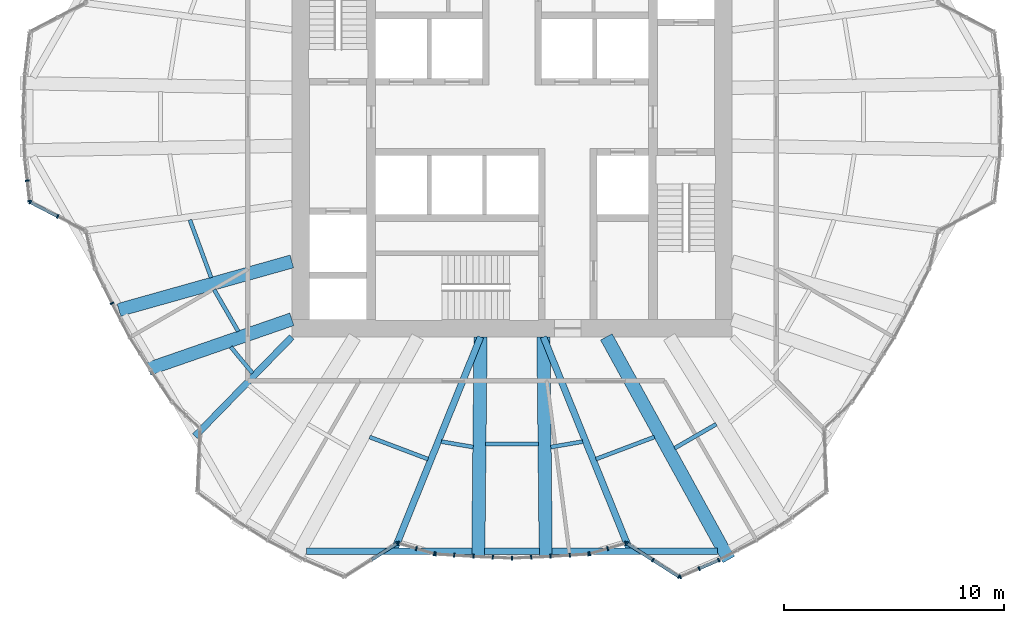
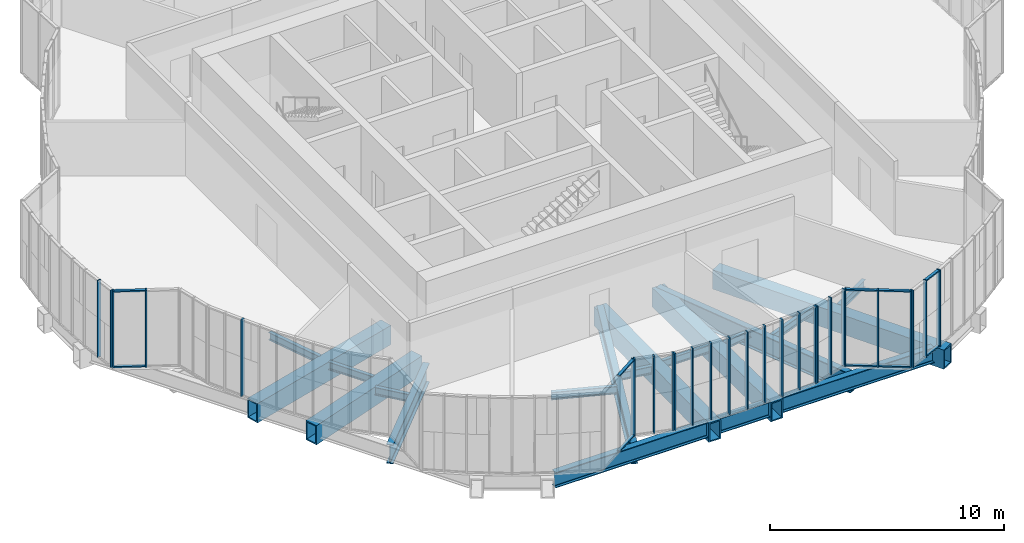
# One storey, part 2 of 24: 37 members, 20 beams, 12 elements without a shape of their own.
"""IFC4 building model written with IfcOpenShell, lengths in metres."""

from ifc_helpers import new_model, si_unit, direction, frame, origin, origin_2d, place, context, subcontext, project, spatial, rectangle, hollow_rectangle, i_section, extrude, material, material_profile, profile_set, type_object, element, aggregate, save


model = new_model("IFC4")

# Units and contexts
model_context = context("Model", 3, precision=1e-05, world=origin(), true_north=direction((0.0, 1.0)))
body_context = subcontext(model_context, "Body", "Model", "MODEL_VIEW")
ifc_project = project(units=[si_unit("LENGTHUNIT", "METRE"), si_unit("AREAUNIT", "SQUARE_METRE"), si_unit("VOLUMEUNIT", "CUBIC_METRE"), si_unit("PLANEANGLEUNIT", "RADIAN"), si_unit("MASSUNIT", "GRAM", prefix="KILO")], contexts=[model_context])

# Site, building, storey
site_placement = place(None, origin())
site = spatial("IfcSite", under=ifc_project, at=site_placement, CompositionType="ELEMENT")
building_placement = place(site_placement, origin())
building = spatial("IfcBuilding", under=site, at=building_placement, Name="Golbaran Civic Tower", CompositionType="ELEMENT")
storey_placement = place(building_placement, frame((0.0, 0.0, 25.0)))
storey = spatial("IfcBuildingStorey", under=building, at=storey_placement, Name="L05", CompositionType="ELEMENT", Elevation=25.0)

# Beams
ifc_material_1 = material(Name="Steel S355", Category="steel")
ifc_material_profile_1 = material_profile(ifc_material_1, i_section(OverallWidth=0.300048828125, OverallDepth=0.800048828125, WebThickness=0.017578125, FlangeThickness=0.032958984375, FilletRadius=0.030029296875, at=origin_2d()), Name="HEB 800")
ifc_profile_set_1 = profile_set([ifc_material_profile_1], Name="Steel S355")
beam_type_1 = type_object("IfcBeamType", Name="EDGE BEAM HEB 800", PredefinedType="BEAM", material=ifc_profile_set_1)
beam_1_placement = place(storey_placement, frame((-9.324951171875, -19.73828125, -0.60009765625), z_axis=(0.999999995251, 9.7453222e-05, 0.0), x_axis=(-9.7453222e-05, 0.999999995251, 0.0)))
element("IfcBeam", 1, at=beam_1_placement, inside=storey, type_object=beam_type_1, Name="Edge beam 243.83 L05", PredefinedType="BEAM", context=body_context, shape_type="SweptSolid", body=[
    extrude(i_section(OverallWidth=0.300048828125, OverallDepth=0.800048828125, WebThickness=0.017578125, FlangeThickness=0.032958984375, FilletRadius=0.030029296875, at=origin_2d()), origin(), (0.0, 0.0, 1.0), 7.515625),
])
beam_2_placement = place(storey_placement, frame((-1.249267578125, -19.737548828125, -0.60009765625), z_axis=(1.0, 0.0, 0.0), x_axis=(0.0, 1.0, 0.0)))
element("IfcBeam", 2, at=beam_2_placement, inside=storey, type_object=beam_type_1, Name="Edge beam 265.74 L05", PredefinedType="BEAM", context=body_context, shape_type="SweptSolid", body=[
    extrude(i_section(OverallWidth=0.300048828125, OverallDepth=0.800048828125, WebThickness=0.017578125, FlangeThickness=0.032958984375, FilletRadius=0.030029296875, at=origin_2d()), origin(), (0.0, 0.0, 1.0), 2.49853515625),
])
beam_3_placement = place(storey_placement, frame((1.809326171875, -19.737548828125, -0.60009765625), z_axis=(0.999999995251, -9.7453222e-05, 0.0), x_axis=(9.7453222e-05, 0.999999995251, 0.0)))
element("IfcBeam", 3, at=beam_3_placement, inside=storey, type_object=beam_type_1, Name="Edge beam 274.26 L05", PredefinedType="BEAM", context=body_context, shape_type="SweptSolid", body=[
    extrude(i_section(OverallWidth=0.300048828125, OverallDepth=0.800048828125, WebThickness=0.017578125, FlangeThickness=0.032958984375, FilletRadius=0.030029296875, at=origin_2d()), origin(), (0.0, 0.0, 1.0), 7.515625),
])
ifc_material_profile_2 = material_profile(ifc_material_1, i_section(OverallWidth=0.179931640625, OverallDepth=0.39990234375, WebThickness=0.008544921875, FlangeThickness=0.013427734375, FilletRadius=0.02099609375, at=origin_2d()), Name="IPE 400")
ifc_profile_set_2 = profile_set([ifc_material_profile_2], Name="Steel S355")
beam_type_2 = type_object("IfcBeamType", Name="FLOOR INFILL BEAM IPE 400", PredefinedType="BEAM", material=ifc_profile_set_2)
beam_4_placement = place(storey_placement, frame((-14.63427734375, -4.68017578125, -0.39990234375), z_axis=(0.346383518623, -0.938092990074, 0.0), x_axis=(0.938092990074, 0.346383518623, 0.0)))
element("IfcBeam", 4, at=beam_4_placement, inside=storey, type_object=beam_type_2, Name="Infill beam 200.27 L05", PredefinedType="BEAM", context=body_context, shape_type="SweptSolid", body=[
    extrude(i_section(OverallWidth=0.179931640625, OverallDepth=0.39990234375, WebThickness=0.008544921875, FlangeThickness=0.013427734375, FilletRadius=0.02099609375, at=origin_2d()), origin(), (0.0, 0.0, 1.0), 2.802490234375),
])
beam_5_placement = place(storey_placement, frame((-13.529541015625, -7.85302734375, -0.39990234375), z_axis=(0.499980071345, -0.866036909293, 0.0), x_axis=(0.866036909293, 0.499980071345, 0.0)))
element("IfcBeam", 5, at=beam_5_placement, inside=storey, type_object=beam_type_2, Name="Infill beam 210.00 L05", PredefinedType="BEAM", context=body_context, shape_type="SweptSolid", body=[
    extrude(i_section(OverallWidth=0.179931640625, OverallDepth=0.39990234375, WebThickness=0.008544921875, FlangeThickness=0.013427734375, FilletRadius=0.02099609375, at=origin_2d()), origin(), (0.0, 0.0, 1.0), 2.1875),
])
beam_6_placement = place(storey_placement, frame((-12.773681640625, -10.457275390625, -0.39990234375), z_axis=(0.639203926169, -0.769037281782, 0.0), x_axis=(0.769037281782, 0.639203926169, 0.0)))
element("IfcBeam", 6, at=beam_6_placement, inside=storey, type_object=beam_type_2, Name="Infill beam 219.73 L05", PredefinedType="BEAM", context=body_context, shape_type="SweptSolid", body=[
    extrude(i_section(OverallWidth=0.179931640625, OverallDepth=0.39990234375, WebThickness=0.008544921875, FlangeThickness=0.013427734375, FilletRadius=0.02099609375, at=origin_2d()), origin(), (0.0, 0.0, 1.0), 1.543701171875),
])
beam_7_placement = place(storey_placement, frame((-6.46826171875, -14.547119140625, -0.39990234375), z_axis=(0.935488526834, -0.3533570661, 0.0), x_axis=(0.3533570661, 0.935488526834, 0.0)))
element("IfcBeam", 7, at=beam_7_placement, inside=storey, type_object=beam_type_2, Name="Infill beam 249.31 L05", PredefinedType="BEAM", context=body_context, shape_type="SweptSolid", body=[
    extrude(i_section(OverallWidth=0.179931640625, OverallDepth=0.39990234375, WebThickness=0.008544921875, FlangeThickness=0.013427734375, FilletRadius=0.02099609375, at=origin_2d()), origin(), (0.0, 0.0, 1.0), 2.837646484375),
])
beam_8_placement = place(storey_placement, frame((-3.2119140625, -14.75537109375, -0.39990234375), z_axis=(0.98560331976, -0.169074232451, 0.0), x_axis=(0.169074232451, 0.98560331976, 0.0)))
element("IfcBeam", 8, at=beam_8_placement, inside=storey, type_object=beam_type_2, Name="Infill beam 260.27 L05", PredefinedType="BEAM", context=body_context, shape_type="SweptSolid", body=[
    extrude(i_section(OverallWidth=0.179931640625, OverallDepth=0.39990234375, WebThickness=0.008544921875, FlangeThickness=0.013427734375, FilletRadius=0.02099609375, at=origin_2d()), origin(), (0.0, 0.0, 1.0), 1.472900390625),
])
beam_9_placement = place(storey_placement, frame((-1.198974609375, -14.86865234375, -0.39990234375), z_axis=(1.0, 0.0, 0.0), x_axis=(0.0, 1.0, 0.0)))
element("IfcBeam", 9, at=beam_9_placement, inside=storey, type_object=beam_type_2, Name="Infill beam 270.00 L05", PredefinedType="BEAM", context=body_context, shape_type="SweptSolid", body=[
    extrude(i_section(OverallWidth=0.179931640625, OverallDepth=0.39990234375, WebThickness=0.008544921875, FlangeThickness=0.013427734375, FilletRadius=0.02099609375, at=origin_2d()), origin(), (0.0, 0.0, 1.0), 2.39794921875),
])
beam_10_placement = place(storey_placement, frame((1.76025390625, -15.00439453125, -0.39990234375), z_axis=(0.98560331976, 0.169074232451, 0.0), x_axis=(-0.169074232451, 0.98560331976, 0.0)))
element("IfcBeam", 10, at=beam_10_placement, inside=storey, type_object=beam_type_2, Name="Infill beam 279.73 L05", PredefinedType="BEAM", context=body_context, shape_type="SweptSolid", body=[
    extrude(i_section(OverallWidth=0.179931640625, OverallDepth=0.39990234375, WebThickness=0.008544921875, FlangeThickness=0.013427734375, FilletRadius=0.02099609375, at=origin_2d()), origin(), (0.0, 0.0, 1.0), 1.472900390625),
])
beam_11_placement = place(storey_placement, frame((3.813720703125, -15.5498046875, -0.39990234375), z_axis=(0.935488526834, 0.3533570661, 0.0), x_axis=(-0.3533570661, 0.935488526834, 0.0)))
element("IfcBeam", 11, at=beam_11_placement, inside=storey, type_object=beam_type_2, Name="Infill beam 290.69 L05", PredefinedType="BEAM", context=body_context, shape_type="SweptSolid", body=[
    extrude(i_section(OverallWidth=0.179931640625, OverallDepth=0.39990234375, WebThickness=0.008544921875, FlangeThickness=0.013427734375, FilletRadius=0.02099609375, at=origin_2d()), origin(), (0.0, 0.0, 1.0), 2.837646484375),
])
beam_12_placement = place(storey_placement, frame((7.38720703125, -15.055419921875, -0.39990234375), z_axis=(0.865956542182, 0.500119252831, 0.0), x_axis=(-0.500119252831, 0.865956542182, 0.0)))
element("IfcBeam", 12, at=beam_12_placement, inside=storey, type_object=beam_type_2, Name="Infill beam 300.00 L05", PredefinedType="BEAM", context=body_context, shape_type="SweptSolid", body=[
    extrude(i_section(OverallWidth=0.179931640625, OverallDepth=0.39990234375, WebThickness=0.008544921875, FlangeThickness=0.013427734375, FilletRadius=0.02099609375, at=origin_2d()), origin(), (0.0, 0.0, 1.0), 2.18359375),
])

# Curtain wall, members
ifc_material_2 = material(Name="Aluminium and glass", Category="aluminium")
curtain_wall_type = type_object("IfcCurtainWallType", Name="INNER SKIN CURTAIN WALL", PredefinedType="NOTDEFINED", material=ifc_material_2)
curtain_wall_1_placement = place(storey_placement, origin())
curtain_wall_1 = element("IfcCurtainWall", 13, at=curtain_wall_1_placement, inside=storey, type_object=curtain_wall_type, Name="Inner skin L05 facet 38 CW1", ObjectType="INNER SKIN", PredefinedType="USERDEFINED")
ifc_material_3 = material(Name="Aluminium", Category="aluminium")
ifc_material_profile_3 = material_profile(ifc_material_3, rectangle(XDim=0.179931640625, YDim=0.06494140625, at=origin_2d()), Name="INNER SKIN CURTAIN WALL MULLION")
ifc_profile_set_3 = profile_set([ifc_material_profile_3], Name="Aluminium")
member_type_1 = type_object("IfcMemberType", Name="INNER SKIN CURTAIN WALL MULLION", PredefinedType="MULLION", material=ifc_profile_set_3)
member_1_placement = place(storey_placement, frame((-22.025146484375, -2.900390625, 0.0), z_axis=(0.0, 0.0, 1.0), x_axis=(0.993402133964, 0.114683042492, 0.0)))
member_1 = element("IfcMember", 14, at=member_1_placement, type_object=member_type_1, Name="CW1 mullion 2", PredefinedType="MULLION", context=body_context, shape_type="SweptSolid", body=[
    extrude(rectangle(XDim=0.179931640625, YDim=0.06494140625, at=origin_2d()), origin(), (0.0, 0.0, 1.0), 4.0),
])
member_2_placement = place(storey_placement, frame((-21.917724609375, -3.831787109375, 0.0), z_axis=(0.0, 0.0, 1.0), x_axis=(0.993402133964, 0.114683042492, 0.0)))
member_2 = element("IfcMember", 15, at=member_2_placement, type_object=member_type_1, Name="CW1 mullion 3", PredefinedType="MULLION", context=body_context, shape_type="SweptSolid", body=[
    extrude(rectangle(XDim=0.179931640625, YDim=0.06494140625, at=origin_2d()), origin(), (0.0, 0.0, 1.0), 4.0),
])
aggregate(curtain_wall_1, [member_1, member_2])

curtain_wall_2_placement = place(storey_placement, origin())
curtain_wall_2 = element("IfcCurtainWall", 16, at=curtain_wall_2_placement, inside=storey, type_object=curtain_wall_type, Name="Inner skin L05 facet 39 CW1", ObjectType="INNER SKIN", PredefinedType="USERDEFINED")
member_3_placement = place(storey_placement, frame((-21.885009765625, -3.87890625, 0.0), z_axis=(0.0, 0.0, 1.0), x_axis=(0.460945090256, 0.887428658411, 0.0)))
member_3 = element("IfcMember", 17, at=member_3_placement, type_object=member_type_1, Name="CW1 mullion 1", PredefinedType="MULLION", context=body_context, shape_type="SweptSolid", body=[
    extrude(rectangle(XDim=0.179931640625, YDim=0.06494140625, at=origin_2d()), origin(), (0.0, 0.0, 1.0), 4.0),
])
member_4_placement = place(storey_placement, frame((-20.638916015625, -4.5263671875, 0.0), z_axis=(0.0, 0.0, 1.0), x_axis=(0.460945090256, 0.887428658411, 0.0)))
member_4 = element("IfcMember", 18, at=member_4_placement, type_object=member_type_1, Name="CW1 mullion 2", PredefinedType="MULLION", context=body_context, shape_type="SweptSolid", body=[
    extrude(rectangle(XDim=0.179931640625, YDim=0.06494140625, at=origin_2d()), origin(), (0.0, 0.0, 1.0), 4.0),
])

# Curtain wall, member
curtain_wall_3_placement = place(storey_placement, origin())
curtain_wall_3 = element("IfcCurtainWall", 19, at=curtain_wall_3_placement, inside=storey, type_object=curtain_wall_type, Name="Inner skin L05 facet 41 CW1", ObjectType="INNER SKIN", PredefinedType="USERDEFINED")
member_5_placement = place(storey_placement, frame((-18.168701171875, -8.47216796875, 0.0), z_axis=(0.0, 0.0, 1.0), x_axis=(0.891491531443, 0.453037359791, 0.0)))
member_5 = element("IfcMember", 20, at=member_5_placement, type_object=member_type_1, Name="CW1 mullion 3", PredefinedType="MULLION", context=body_context, shape_type="SweptSolid", body=[
    extrude(rectangle(XDim=0.179931640625, YDim=0.06494140625, at=origin_2d()), origin(), (0.0, 0.0, 1.0), 4.0),
])
aggregate(curtain_wall_3, [member_5])

curtain_wall_4_placement = place(storey_placement, origin())
curtain_wall_4 = element("IfcCurtainWall", 21, at=curtain_wall_4_placement, inside=storey, type_object=curtain_wall_type, Name="Inner skin L05 facet 51 CW1", ObjectType="INNER SKIN", PredefinedType="USERDEFINED")
member_6_placement = place(storey_placement, frame((-5.2158203125, -19.38134765625, 0.0), z_axis=(0.0, 0.0, 1.0), x_axis=(-0.53806321722, 0.842904487042, 0.0)))
member_6 = element("IfcMember", 22, at=member_6_placement, type_object=member_type_1, Name="CW1 mullion 3", PredefinedType="MULLION", context=body_context, shape_type="SweptSolid", body=[
    extrude(rectangle(XDim=0.179931640625, YDim=0.06494140625, at=origin_2d()), origin(), (0.0, 0.0, 1.0), 4.0),
])

# Curtain wall, members
curtain_wall_5_placement = place(storey_placement, origin())
curtain_wall_5 = element("IfcCurtainWall", 23, at=curtain_wall_5_placement, inside=storey, type_object=curtain_wall_type, Name="Inner skin L05 facet 52 CW1", ObjectType="INNER SKIN", PredefinedType="USERDEFINED")
member_7_placement = place(storey_placement, frame((-5.157470703125, -19.373046875, 0.0), z_axis=(0.0, 0.0, 1.0), x_axis=(0.28196389056, 0.959425017612, 0.0)))
member_7 = element("IfcMember", 24, at=member_7_placement, type_object=member_type_1, Name="CW1 mullion 1", PredefinedType="MULLION", context=body_context, shape_type="SweptSolid", body=[
    extrude(rectangle(XDim=0.179931640625, YDim=0.06494140625, at=origin_2d()), origin(), (0.0, 0.0, 1.0), 4.0),
])
member_8_placement = place(storey_placement, frame((-4.34521484375, -19.61181640625, 0.0), z_axis=(0.0, 0.0, 1.0), x_axis=(0.28196389056, 0.959425017612, 0.0)))
member_8 = element("IfcMember", 25, at=member_8_placement, type_object=member_type_1, Name="CW1 mullion 2", PredefinedType="MULLION", context=body_context, shape_type="SweptSolid", body=[
    extrude(rectangle(XDim=0.179931640625, YDim=0.06494140625, at=origin_2d()), origin(), (0.0, 0.0, 1.0), 4.0),
])
member_9_placement = place(storey_placement, frame((-3.532958984375, -19.8505859375, 0.0), z_axis=(0.0, 0.0, 1.0), x_axis=(0.28196389056, 0.959425017612, 0.0)))
member_9 = element("IfcMember", 26, at=member_9_placement, type_object=member_type_1, Name="CW1 mullion 3", PredefinedType="MULLION", context=body_context, shape_type="SweptSolid", body=[
    extrude(rectangle(XDim=0.179931640625, YDim=0.06494140625, at=origin_2d()), origin(), (0.0, 0.0, 1.0), 4.0),
])
aggregate(curtain_wall_5, [member_7, member_8, member_9])

curtain_wall_6_placement = place(storey_placement, origin())
curtain_wall_6 = element("IfcCurtainWall", 27, at=curtain_wall_6_placement, inside=storey, type_object=curtain_wall_type, Name="Inner skin L05 facet 53 CW1", ObjectType="INNER SKIN", PredefinedType="USERDEFINED")
member_10_placement = place(storey_placement, frame((-3.46923828125, -19.861572265625, 0.0), z_axis=(0.0, 0.0, 1.0), x_axis=(0.063183294799, 0.998001939506, 0.0)))
member_10 = element("IfcMember", 28, at=member_10_placement, type_object=member_type_1, Name="CW1 mullion 1", PredefinedType="MULLION", context=body_context, shape_type="SweptSolid", body=[
    extrude(rectangle(XDim=0.179931640625, YDim=0.06494140625, at=origin_2d()), origin(), (0.0, 0.0, 1.0), 4.0),
])
member_11_placement = place(storey_placement, frame((-2.62451171875, -19.915283203125, 0.0), z_axis=(0.0, 0.0, 1.0), x_axis=(0.063183294799, 0.998001939506, 0.0)))
member_11 = element("IfcMember", 29, at=member_11_placement, type_object=member_type_1, Name="CW1 mullion 2", PredefinedType="MULLION", context=body_context, shape_type="SweptSolid", body=[
    extrude(rectangle(XDim=0.179931640625, YDim=0.06494140625, at=origin_2d()), origin(), (0.0, 0.0, 1.0), 4.0),
])
member_12_placement = place(storey_placement, frame((-1.747314453125, -19.970703125, 0.0), z_axis=(0.0, 0.0, 1.0), x_axis=(0.053403903366, 0.998572993379, 0.0)))
member_12 = element("IfcMember", 30, at=member_12_placement, type_object=member_type_1, Name="CW1 mullion 3", PredefinedType="MULLION", context=body_context, shape_type="SweptSolid", body=[
    extrude(rectangle(XDim=0.179931640625, YDim=0.06494140625, at=origin_2d()), origin(), (0.0, 0.0, 1.0), 4.0),
])
aggregate(curtain_wall_6, [member_10, member_11, member_12])

curtain_wall_7_placement = place(storey_placement, origin())
curtain_wall_7 = element("IfcCurtainWall", 31, at=curtain_wall_7_placement, inside=storey, type_object=curtain_wall_type, Name="Inner skin L05 facet 54 CW1", ObjectType="INNER SKIN", PredefinedType="USERDEFINED")
member_13_placement = place(storey_placement, frame((-0.87353515625, -20.0087890625, 0.0), z_axis=(0.0, 0.0, 1.0), x_axis=(0.043619387156, 0.999048221591, 0.0)))
member_13 = element("IfcMember", 32, at=member_13_placement, type_object=member_type_1, Name="CW1 mullion 2", PredefinedType="MULLION", context=body_context, shape_type="SweptSolid", body=[
    extrude(rectangle(XDim=0.179931640625, YDim=0.06494140625, at=origin_2d()), origin(), (0.0, 0.0, 1.0), 4.0),
])
member_14_placement = place(storey_placement, frame((0.0, -20.047119140625, 0.0), z_axis=(0.0, 0.0, 1.0), x_axis=(-1.05e-10, 1.0, 0.0)))
member_14 = element("IfcMember", 33, at=member_14_placement, type_object=member_type_1, Name="CW1 mullion 3", PredefinedType="MULLION", context=body_context, shape_type="SweptSolid", body=[
    extrude(rectangle(XDim=0.179931640625, YDim=0.06494140625, at=origin_2d()), origin(), (0.0, 0.0, 1.0), 4.0),
])
aggregate(curtain_wall_7, [member_13, member_14])

curtain_wall_8_placement = place(storey_placement, origin())
curtain_wall_8 = element("IfcCurtainWall", 34, at=curtain_wall_8_placement, inside=storey, type_object=curtain_wall_type, Name="Inner skin L05 facet 55 CW1", ObjectType="INNER SKIN", PredefinedType="USERDEFINED")
member_15_placement = place(storey_placement, frame((0.87353515625, -20.0087890625, 0.0), z_axis=(0.0, 0.0, 1.0), x_axis=(-0.043619387156, 0.999048221591, 0.0)))
member_15 = element("IfcMember", 35, at=member_15_placement, type_object=member_type_1, Name="CW1 mullion 2", PredefinedType="MULLION", context=body_context, shape_type="SweptSolid", body=[
    extrude(rectangle(XDim=0.179931640625, YDim=0.06494140625, at=origin_2d()), origin(), (0.0, 0.0, 1.0), 4.0),
])
member_16_placement = place(storey_placement, frame((1.747314453125, -19.970703125, 0.0), z_axis=(0.0, 0.0, 1.0), x_axis=(-0.053403903296, 0.998572993382, 0.0)))
member_16 = element("IfcMember", 36, at=member_16_placement, type_object=member_type_1, Name="CW1 mullion 3", PredefinedType="MULLION", context=body_context, shape_type="SweptSolid", body=[
    extrude(rectangle(XDim=0.179931640625, YDim=0.06494140625, at=origin_2d()), origin(), (0.0, 0.0, 1.0), 4.0),
])
aggregate(curtain_wall_8, [member_15, member_16])

curtain_wall_9_placement = place(storey_placement, origin())
curtain_wall_9 = element("IfcCurtainWall", 37, at=curtain_wall_9_placement, inside=storey, type_object=curtain_wall_type, Name="Inner skin L05 facet 56 CW1", ObjectType="INNER SKIN", PredefinedType="USERDEFINED")
member_17_placement = place(storey_placement, frame((2.62451171875, -19.915283203125, 0.0), z_axis=(0.0, 0.0, 1.0), x_axis=(-0.063183294799, 0.998001939506, 0.0)))
member_17 = element("IfcMember", 38, at=member_17_placement, type_object=member_type_1, Name="CW1 mullion 2", PredefinedType="MULLION", context=body_context, shape_type="SweptSolid", body=[
    extrude(rectangle(XDim=0.179931640625, YDim=0.06494140625, at=origin_2d()), origin(), (0.0, 0.0, 1.0), 4.0),
])
member_18_placement = place(storey_placement, frame((3.46923828125, -19.861572265625, 0.0), z_axis=(0.0, 0.0, 1.0), x_axis=(-0.063183294799, 0.998001939506, 0.0)))
member_18 = element("IfcMember", 39, at=member_18_placement, type_object=member_type_1, Name="CW1 mullion 3", PredefinedType="MULLION", context=body_context, shape_type="SweptSolid", body=[
    extrude(rectangle(XDim=0.179931640625, YDim=0.06494140625, at=origin_2d()), origin(), (0.0, 0.0, 1.0), 4.0),
])
aggregate(curtain_wall_9, [member_17, member_18])

curtain_wall_10_placement = place(storey_placement, origin())
curtain_wall_10 = element("IfcCurtainWall", 40, at=curtain_wall_10_placement, inside=storey, type_object=curtain_wall_type, Name="Inner skin L05 facet 57 CW1", ObjectType="INNER SKIN", PredefinedType="USERDEFINED")
member_19_placement = place(storey_placement, frame((3.532958984375, -19.8505859375, 0.0), z_axis=(0.0, 0.0, 1.0), x_axis=(-0.28196389056, 0.959425017612, 0.0)))
member_19 = element("IfcMember", 41, at=member_19_placement, type_object=member_type_1, Name="CW1 mullion 1", PredefinedType="MULLION", context=body_context, shape_type="SweptSolid", body=[
    extrude(rectangle(XDim=0.179931640625, YDim=0.06494140625, at=origin_2d()), origin(), (0.0, 0.0, 1.0), 4.0),
])
member_20_placement = place(storey_placement, frame((4.34521484375, -19.61181640625, 0.0), z_axis=(0.0, 0.0, 1.0), x_axis=(-0.28196389056, 0.959425017612, 0.0)))
member_20 = element("IfcMember", 42, at=member_20_placement, type_object=member_type_1, Name="CW1 mullion 2", PredefinedType="MULLION", context=body_context, shape_type="SweptSolid", body=[
    extrude(rectangle(XDim=0.179931640625, YDim=0.06494140625, at=origin_2d()), origin(), (0.0, 0.0, 1.0), 4.0),
])
member_21_placement = place(storey_placement, frame((5.157470703125, -19.373046875, 0.0), z_axis=(0.0, 0.0, 1.0), x_axis=(-0.28196389056, 0.959425017612, 0.0)))
member_21 = element("IfcMember", 43, at=member_21_placement, type_object=member_type_1, Name="CW1 mullion 3", PredefinedType="MULLION", context=body_context, shape_type="SweptSolid", body=[
    extrude(rectangle(XDim=0.179931640625, YDim=0.06494140625, at=origin_2d()), origin(), (0.0, 0.0, 1.0), 4.0),
])
aggregate(curtain_wall_10, [member_19, member_20, member_21])

curtain_wall_11_placement = place(storey_placement, origin())
curtain_wall_11 = element("IfcCurtainWall", 44, at=curtain_wall_11_placement, inside=storey, type_object=curtain_wall_type, Name="Inner skin L05 facet 58 CW1", ObjectType="INNER SKIN", PredefinedType="USERDEFINED")
member_22_placement = place(storey_placement, frame((5.2158203125, -19.38134765625, 0.0), z_axis=(0.0, 0.0, 1.0), x_axis=(0.53806321722, 0.842904487042, 0.0)))
member_22 = element("IfcMember", 45, at=member_22_placement, type_object=member_type_1, Name="CW1 mullion 1", PredefinedType="MULLION", context=body_context, shape_type="SweptSolid", body=[
    extrude(rectangle(XDim=0.179931640625, YDim=0.06494140625, at=origin_2d()), origin(), (0.0, 0.0, 1.0), 4.0),
])
member_23_placement = place(storey_placement, frame((6.399658203125, -20.136962890625, 0.0), z_axis=(0.0, 0.0, 1.0), x_axis=(0.53806321722, 0.842904487042, 0.0)))
member_23 = element("IfcMember", 46, at=member_23_placement, type_object=member_type_1, Name="CW1 mullion 2", PredefinedType="MULLION", context=body_context, shape_type="SweptSolid", body=[
    extrude(rectangle(XDim=0.179931640625, YDim=0.06494140625, at=origin_2d()), origin(), (0.0, 0.0, 1.0), 4.0),
])
member_24_placement = place(storey_placement, frame((7.583251953125, -20.892578125, 0.0), z_axis=(0.0, 0.0, 1.0), x_axis=(0.53806321722, 0.842904487042, 0.0)))
member_24 = element("IfcMember", 47, at=member_24_placement, type_object=member_type_1, Name="CW1 mullion 3", PredefinedType="MULLION", context=body_context, shape_type="SweptSolid", body=[
    extrude(rectangle(XDim=0.179931640625, YDim=0.06494140625, at=origin_2d()), origin(), (0.0, 0.0, 1.0), 4.0),
])

curtain_wall_12_placement = place(storey_placement, origin())
curtain_wall_12 = element("IfcCurtainWall", 48, at=curtain_wall_12_placement, inside=storey, type_object=curtain_wall_type, Name="Inner skin L05 facet 59 CW1", ObjectType="INNER SKIN", PredefinedType="USERDEFINED")
member_25_placement = place(storey_placement, frame((7.640380859375, -20.897216796875, 0.0), z_axis=(0.0, 0.0, 1.0), x_axis=(-0.397382638705, 0.917653005474, 0.0)))
member_25 = element("IfcMember", 49, at=member_25_placement, type_object=member_type_1, Name="CW1 mullion 1", PredefinedType="MULLION", context=body_context, shape_type="SweptSolid", body=[
    extrude(rectangle(XDim=0.179931640625, YDim=0.06494140625, at=origin_2d()), origin(), (0.0, 0.0, 1.0), 4.0),
])
member_26_placement = place(storey_placement, frame((8.500732421875, -20.524658203125, 0.0), z_axis=(0.0, 0.0, 1.0), x_axis=(-0.397382638705, 0.917653005474, 0.0)))
member_26 = element("IfcMember", 50, at=member_26_placement, type_object=member_type_1, Name="CW1 mullion 2", PredefinedType="MULLION", context=body_context, shape_type="SweptSolid", body=[
    extrude(rectangle(XDim=0.179931640625, YDim=0.06494140625, at=origin_2d()), origin(), (0.0, 0.0, 1.0), 4.0),
])
member_27_placement = place(storey_placement, frame((9.39111328125, -20.13916015625, 0.0), z_axis=(0.0, 0.0, 1.0), x_axis=(-0.429838763642, 0.90290566355, 0.0)))
member_27 = element("IfcMember", 51, at=member_27_placement, type_object=member_type_1, Name="CW1 mullion 3", PredefinedType="MULLION", context=body_context, shape_type="SweptSolid", body=[
    extrude(rectangle(XDim=0.179931640625, YDim=0.06494140625, at=origin_2d()), origin(), (0.0, 0.0, 1.0), 4.0),
])

# Member
ifc_material_profile_4 = material_profile(ifc_material_3, rectangle(XDim=0.139892578125, YDim=0.06494140625, at=origin_2d()), Name="INNER SKIN CURTAIN WALL TRANSOM")
ifc_profile_set_4 = profile_set([ifc_material_profile_4], Name="Aluminium")
member_type_2 = type_object("IfcMemberType", Name="INNER SKIN CURTAIN WALL TRANSOM", PredefinedType="USERDEFINED", material=ifc_profile_set_4)
member_28_placement = place(storey_placement, frame((-21.856201171875, -3.89404296875, 0.032470703125), z_axis=(0.88746739887, -0.460870498017, 0.0), x_axis=(0.460870498017, 0.88746739887, 0.0)))
member_28 = element("IfcMember", 52, at=member_28_placement, type_object=member_type_2, Name="CW1 transom 1.1", ObjectType="TRANSOM", PredefinedType="USERDEFINED", context=body_context, shape_type="SweptSolid", body=[
    extrude(rectangle(XDim=0.139892578125, YDim=0.06494140625, at=origin_2d()), origin(), (0.0, 0.0, 1.0), 1.339111328125),
])

member_29_placement = place(storey_placement, frame((-21.856201171875, -3.89404296875, 3.967529296875), z_axis=(0.88746739887, -0.460870498017, 0.0), x_axis=(0.460870498017, 0.88746739887, 0.0)))
member_29 = element("IfcMember", 53, at=member_29_placement, type_object=member_type_2, Name="CW1 transom 1.2", ObjectType="TRANSOM", PredefinedType="USERDEFINED", context=body_context, shape_type="SweptSolid", body=[
    extrude(rectangle(XDim=0.139892578125, YDim=0.06494140625, at=origin_2d()), origin(), (0.0, 0.0, 1.0), 1.339111328125),
])

aggregate(curtain_wall_2, [member_3, member_4, member_28, member_29])

member_30_placement = place(storey_placement, frame((-6.372314453125, -20.119384765625, 0.032470703125), z_axis=(0.842962666543, 0.537972065088, 0.0), x_axis=(-0.537972065088, 0.842962666543, 0.0)))
member_30 = element("IfcMember", 54, at=member_30_placement, type_object=member_type_2, Name="CW1 transom 2.1", ObjectType="TRANSOM", PredefinedType="USERDEFINED", context=body_context, shape_type="SweptSolid", body=[
    extrude(rectangle(XDim=0.139892578125, YDim=0.06494140625, at=origin_2d()), origin(), (0.0, 0.0, 1.0), 1.339111328125),
])

member_31_placement = place(storey_placement, frame((-6.372314453125, -20.119384765625, 3.967529296875), z_axis=(0.842962666543, 0.537972065088, 0.0), x_axis=(-0.537972065088, 0.842962666543, 0.0)))
member_31 = element("IfcMember", 55, at=member_31_placement, type_object=member_type_2, Name="CW1 transom 2.2", ObjectType="TRANSOM", PredefinedType="USERDEFINED", context=body_context, shape_type="SweptSolid", body=[
    extrude(rectangle(XDim=0.139892578125, YDim=0.06494140625, at=origin_2d()), origin(), (0.0, 0.0, 1.0), 1.339111328125),
])

aggregate(curtain_wall_4, [member_6, member_30, member_31])

member_32_placement = place(storey_placement, frame((5.243408203125, -19.39892578125, 0.032470703125), z_axis=(0.842962666543, -0.537972065088, 0.0), x_axis=(0.537972065088, 0.842962666543, 0.0)))
member_32 = element("IfcMember", 56, at=member_32_placement, type_object=member_type_2, Name="CW1 transom 1.1", ObjectType="TRANSOM", PredefinedType="USERDEFINED", context=body_context, shape_type="SweptSolid", body=[
    extrude(rectangle(XDim=0.139892578125, YDim=0.06494140625, at=origin_2d()), origin(), (0.0, 0.0, 1.0), 1.339111328125),
])

member_33_placement = place(storey_placement, frame((5.243408203125, -19.39892578125, 3.967529296875), z_axis=(0.842962666543, -0.537972065088, 0.0), x_axis=(0.537972065088, 0.842962666543, 0.0)))
member_33 = element("IfcMember", 57, at=member_33_placement, type_object=member_type_2, Name="CW1 transom 1.2", ObjectType="TRANSOM", PredefinedType="USERDEFINED", context=body_context, shape_type="SweptSolid", body=[
    extrude(rectangle(XDim=0.139892578125, YDim=0.06494140625, at=origin_2d()), origin(), (0.0, 0.0, 1.0), 1.339111328125),
])

member_34_placement = place(storey_placement, frame((6.427001953125, -20.154541015625, 0.032470703125), z_axis=(0.842962666543, -0.537972065088, 0.0), x_axis=(0.537972065088, 0.842962666543, 0.0)))
member_34 = element("IfcMember", 58, at=member_34_placement, type_object=member_type_2, Name="CW1 transom 2.1", ObjectType="TRANSOM", PredefinedType="USERDEFINED", context=body_context, shape_type="SweptSolid", body=[
    extrude(rectangle(XDim=0.139892578125, YDim=0.06494140625, at=origin_2d()), origin(), (0.0, 0.0, 1.0), 1.339111328125),
])

member_35_placement = place(storey_placement, frame((6.427001953125, -20.154541015625, 3.967529296875), z_axis=(0.842962666543, -0.537972065088, 0.0), x_axis=(0.537972065088, 0.842962666543, 0.0)))
member_35 = element("IfcMember", 59, at=member_35_placement, type_object=member_type_2, Name="CW1 transom 2.2", ObjectType="TRANSOM", PredefinedType="USERDEFINED", context=body_context, shape_type="SweptSolid", body=[
    extrude(rectangle(XDim=0.139892578125, YDim=0.06494140625, at=origin_2d()), origin(), (0.0, 0.0, 1.0), 1.339111328125),
])

aggregate(curtain_wall_11, [member_22, member_23, member_24, member_32, member_33, member_34, member_35])

member_36_placement = place(storey_placement, frame((8.53076171875, -20.51171875, 0.032470703125), z_axis=(0.917631075414, 0.397433276708, 0.0), x_axis=(-0.397433276708, 0.917631075414, 0.0)))
member_36 = element("IfcMember", 60, at=member_36_placement, type_object=member_type_2, Name="CW1 transom 2.1", ObjectType="TRANSOM", PredefinedType="USERDEFINED", context=body_context, shape_type="SweptSolid", body=[
    extrude(rectangle(XDim=0.139892578125, YDim=0.06494140625, at=origin_2d()), origin(), (0.0, 0.0, 1.0), 0.90478515625),
])

member_37_placement = place(storey_placement, frame((8.53076171875, -20.51171875, 3.967529296875), z_axis=(0.917631075414, 0.397433276708, 0.0), x_axis=(-0.397433276708, 0.917631075414, 0.0)))
member_37 = element("IfcMember", 61, at=member_37_placement, type_object=member_type_2, Name="CW1 transom 2.2", ObjectType="TRANSOM", PredefinedType="USERDEFINED", context=body_context, shape_type="SweptSolid", body=[
    extrude(rectangle(XDim=0.139892578125, YDim=0.06494140625, at=origin_2d()), origin(), (0.0, 0.0, 1.0), 0.90478515625),
])

aggregate(curtain_wall_12, [member_25, member_26, member_27, member_36, member_37])

# Beams
ifc_material_profile_5 = material_profile(ifc_material_1, hollow_rectangle(XDim=0.60009765625, YDim=1.0, WallThickness=0.06005859375, at=origin_2d()), Name="BOX 1000x600x60")
ifc_profile_set_5 = profile_set([ifc_material_profile_5], Name="Steel S355")
beam_type_3 = type_object("IfcBeamType", Name="RADIAL FLOOR BEAM BOX 1000x600x60", PredefinedType="BEAM", material=ifc_profile_set_5)
beam_13_placement = place(storey_placement, frame((-10.0, -6.571533203125, -0.7099609375), z_axis=(-0.962787297075, -0.270260283043, 0.0), x_axis=(0.270260283043, -0.962787297075, 0.0)))
element("IfcBeam", 62, at=beam_13_placement, inside=storey, type_object=beam_type_3, Name="Radial beam 205.74 L05", PredefinedType="BEAM", context=body_context, shape_type="SweptSolid", body=[
    extrude(hollow_rectangle(XDim=0.60009765625, YDim=1.0, WallThickness=0.06005859375, at=origin_2d()), origin(), (0.0, 0.0, 1.0), 8.1591796875),
])
beam_14_placement = place(storey_placement, frame((-10.0, -9.199951171875, -0.7099609375), z_axis=(-0.944904665861, -0.327345646733, 0.0), x_axis=(0.327345646733, -0.944904665861, 0.0)))
element("IfcBeam", 63, at=beam_14_placement, inside=storey, type_object=beam_type_3, Name="Radial beam 214.26 L05", PredefinedType="BEAM", context=body_context, shape_type="SweptSolid", body=[
    extrude(hollow_rectangle(XDim=0.60009765625, YDim=1.0, WallThickness=0.06005859375, at=origin_2d()), origin(), (0.0, 0.0, 1.0), 6.8837890625),
])
for number, where, z_axis, x_axis, name in (
    (64, (-1.428466796875, -10.0, -0.7099609375), (-0.010350701371, -0.999946430056, 0.0), (0.999946430056, -0.010350701371, 0.0), "Radial beam 265.74 L05"),
    (65, (1.428466796875, -10.0, -0.7099609375), (0.010350701371, -0.999946430056, 0.0), (0.999946430056, 0.010350701371, 0.0), "Radial beam 274.26 L05"),
):
    element("IfcBeam", number, at=place(storey_placement, frame(where, z_axis=z_axis, x_axis=x_axis)), inside=storey, type_object=beam_type_3, Name=name, PredefinedType="BEAM", context=body_context, shape_type="SweptSolid", body=[
        extrude(hollow_rectangle(XDim=0.60009765625, YDim=1.0, WallThickness=0.06005859375, at=origin_2d()), origin(), (0.0, 0.0, 1.0), 9.95361328125),
    ])
beam_15_placement = place(storey_placement, frame((4.28564453125, -10.0, -0.7099609375), z_axis=(0.482103044256, -0.876114521463, 0.0), x_axis=(0.876114521463, 0.482103044256, 0.0)))
element("IfcBeam", 66, at=beam_15_placement, inside=storey, type_object=beam_type_3, Name="Radial beam 296.17 L05", PredefinedType="BEAM", context=body_context, shape_type="SweptSolid", body=[
    extrude(hollow_rectangle(XDim=0.60009765625, YDim=1.0, WallThickness=0.06005859375, at=origin_2d()), origin(), (0.0, 0.0, 1.0), 11.54296875),
])
ifc_material_profile_6 = material_profile(ifc_material_1, i_section(OverallWidth=0.300048828125, OverallDepth=1.0, WebThickness=0.01904296875, FlangeThickness=0.035888671875, FilletRadius=0.030029296875, at=origin_2d()), Name="HEB 1000")
ifc_profile_set_6 = profile_set([ifc_material_profile_6], Name="Steel S355")
beam_type_4 = type_object("IfcBeamType", Name="SECONDARY FLOOR BEAM HEB 1000", PredefinedType="BEAM", material=ifc_profile_set_6)
beam_16_placement = place(storey_placement, frame((-10.0, -10.0, -0.7099609375), z_axis=(-0.698511688527, -0.715598645185, 0.0), x_axis=(0.715598645185, -0.698511688527, 0.0)))
element("IfcBeam", 67, at=beam_16_placement, inside=storey, type_object=beam_type_4, Name="Secondary beam 225.21 L05", PredefinedType="BEAM", context=body_context, shape_type="SweptSolid", body=[
    extrude(i_section(OverallWidth=0.300048828125, OverallDepth=1.0, WebThickness=0.01904296875, FlangeThickness=0.035888671875, FilletRadius=0.030029296875, at=origin_2d()), origin(), (0.0, 0.0, 1.0), 6.301025390625),
])
for number, where, z_axis, x_axis, name in (
    (68, (-1.428466796875, -10.0, -0.7099609375), (-0.374998283352, -0.927025505303, 0.0), (0.927025505303, -0.374998283352, 0.0), "Secondary beam 254.79 L05"),
    (69, (1.428466796875, -10.0, -0.7099609375), (0.374998283352, -0.927025505303, 0.0), (0.927025505303, 0.374998283352, 0.0), "Secondary beam 285.21 L05"),
):
    element("IfcBeam", number, at=place(storey_placement, frame(where, z_axis=z_axis, x_axis=x_axis)), inside=storey, type_object=beam_type_4, Name=name, PredefinedType="BEAM", context=body_context, shape_type="SweptSolid", body=[
        extrude(i_section(OverallWidth=0.300048828125, OverallDepth=1.0, WebThickness=0.01904296875, FlangeThickness=0.035888671875, FilletRadius=0.030029296875, at=origin_2d()), origin(), (0.0, 0.0, 1.0), 10.504638671875),
    ])

save(model, "model.ifc")
